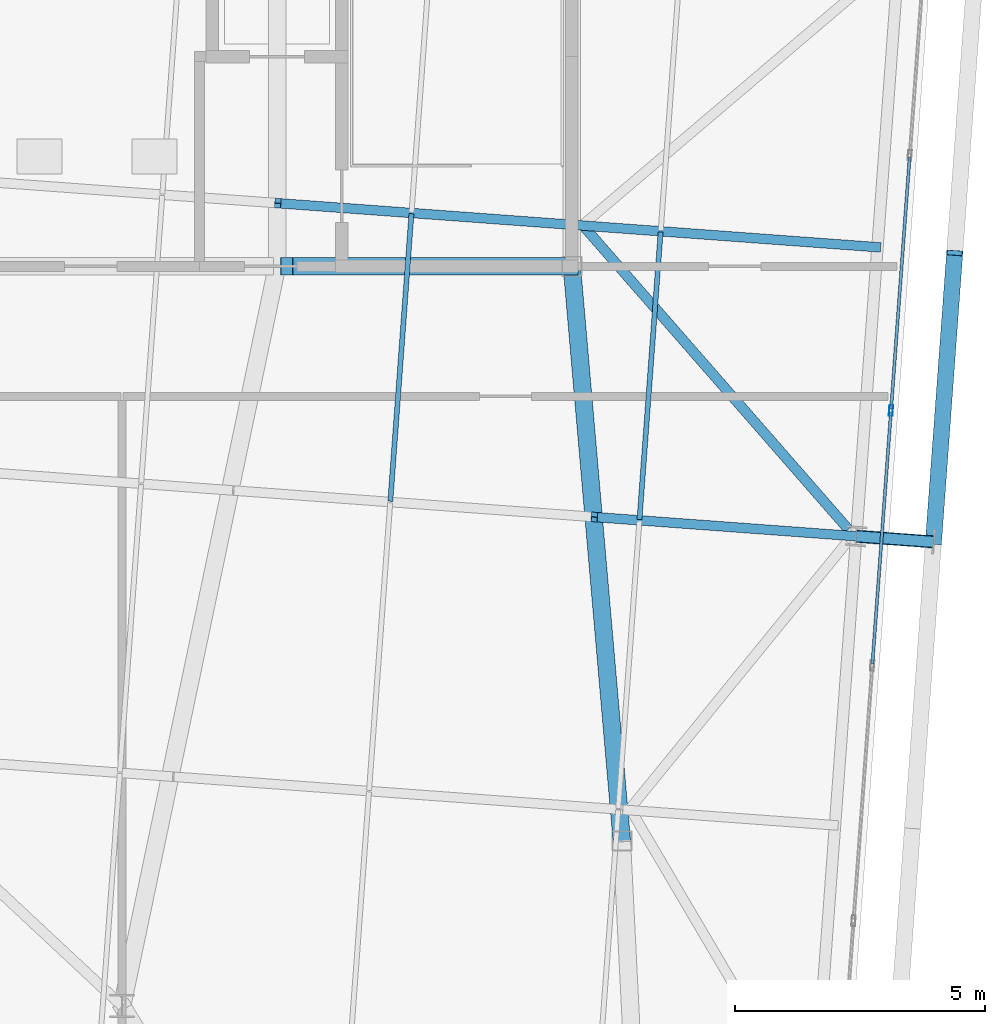
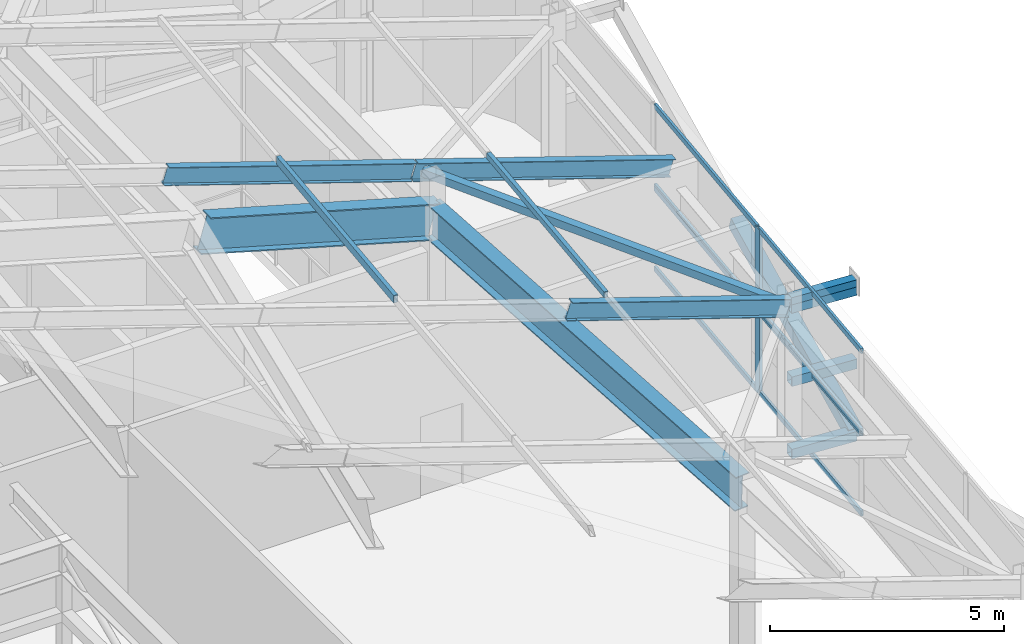
# One storey, part 23 of 56: 21 members, 2 beams, 2 elements without a shape of their own.
"""IFC4 building model written with IfcOpenShell, lengths in metres."""

from ifc_helpers import new_model, si_unit, direction, frame, origin, origin_2d, place, context, subcontext, project, spatial, hollow_rectangle, i_section, extrude, source, transform, mapped, material, layer, layer_set, material_profile, profile_set, type_object, element, aggregate, save


model = new_model("IFC4")

# Units and contexts
model_context = context("Model", 3, precision=1e-05, world=origin(), true_north=direction((0.0, 1.0)))
body_context = subcontext(model_context, "Body", "Model", "MODEL_VIEW")
ifc_project = project(units=[si_unit("LENGTHUNIT", "METRE"), si_unit("AREAUNIT", "SQUARE_METRE"), si_unit("VOLUMEUNIT", "CUBIC_METRE"), si_unit("PLANEANGLEUNIT", "RADIAN"), si_unit("MASSUNIT", "GRAM", prefix="KILO")], contexts=[model_context])

# Site, building, storey
site_placement = place(None, origin())
site = spatial("IfcSite", under=ifc_project, at=site_placement, CompositionType="ELEMENT")
building_placement = place(site_placement, origin())
building = spatial("IfcBuilding", under=site, at=building_placement, Name="Taldren Reach Tower", CompositionType="ELEMENT")
storey_placement = place(building_placement, frame((0.0, 0.0, 253.050048828125)))
storey = spatial("IfcBuildingStorey", under=building, at=storey_placement, Name="L77", CompositionType="ELEMENT", Elevation=253.050048828125)

# Members
ifc_material_1 = material(Name="Steel Gr 350 (C350L0)", Category="steel")
ifc_material_profile_1 = material_profile(ifc_material_1, hollow_rectangle(XDim=0.25, YDim=0.25, WallThickness=0.010009765625, at=origin_2d()), Name="250x250x10.0SHS")
ifc_profile_set_1 = profile_set([ifc_material_profile_1], Name="Steel Gr 350 (C350L0)")
member_type_1 = type_object("IfcMemberType", Name="MB-POST250", PredefinedType="POST", material=ifc_profile_set_1)
shared_shape_1 = source(origin(), body_context, "Body", "SweptSolid", [
    extrude(hollow_rectangle(XDim=0.25, YDim=0.25, WallThickness=0.010009765625, at=origin_2d()), origin(), (0.0, 0.0, 1.0), 1.5498046875),
])
for number, where, z_axis, x_axis, name in (
    (1, (56.69140625, 18.599853515625, 0.219970703125), (0.997313551801, -0.073250797913, 0.0), (0.073250797913, 0.997313551801, 0.0), "Exoskeleton base diaphragm tie strut B5-E2 L77"),
    (2, (56.69140625, 18.599853515625, 2.10986328125), (0.997313551801, -0.073250797913, 0.0), (0.073250797913, 0.997313551801, 0.0), "Exoskeleton mid-tier diaphragm tie B5-E2 L77"),
):
    element("IfcMember", number, at=place(storey_placement, frame(where, z_axis=z_axis, x_axis=x_axis)), inside=storey, type_object=member_type_1, Name=name, PredefinedType="POST", context=body_context, shape_type="MappedRepresentation", body=[
        mapped(shared_shape_1, transform((0.0, 0.0, 0.0), scale=1.0)),
    ])
ifc_material_2 = material(Name="Steel Gr 450 (C450L0)", Category="steel")
ifc_material_profile_2 = material_profile(ifc_material_2, hollow_rectangle(XDim=0.219970703125, YDim=0.219970703125, WallThickness=0.00830078125, at=origin_2d()), Name="220x220x8.2SHS")
ifc_profile_set_2 = profile_set([ifc_material_profile_2], Name="Steel Gr 450 (C450L0)")
member_type_2 = type_object("IfcMemberType", Name="MB-TIE219", PredefinedType="STRUT", material=ifc_profile_set_2)
shared_shape_2 = source(origin(), body_context, "Body", "SweptSolid", [
    extrude(hollow_rectangle(XDim=0.219970703125, YDim=0.219970703125, WallThickness=0.00830078125, at=origin_2d()), origin(), (0.0, 0.0, 1.0), 1.5498046875),
])
for number, where, z_axis, x_axis, name in (
    (3, (56.69140625, 18.599853515625, 4.186279296875), (0.997313551801, -0.073250797913, 0.0), (0.073250797913, 0.997313551801, 0.0), "Exoskeleton diaphragm tie strut B5-E2 L77"),
    (4, (56.69140625, 18.599853515625, 4.0), (0.997313551801, -0.073250797913, 0.0), (0.073250797913, 0.997313551801, 0.0), "Crown exoskeleton mid-tier tie strut B5-E2"),
):
    element("IfcMember", number, at=place(storey_placement, frame(where, z_axis=z_axis, x_axis=x_axis)), inside=storey, type_object=member_type_2, Name=name, PredefinedType="STRUT", context=body_context, shape_type="MappedRepresentation", body=[
        mapped(shared_shape_2, transform((0.0, 0.0, 0.0), scale=1.0)),
    ])

# Beams
ifc_material_3 = material(Name="Steel Gr 350 (350PLUS)", Category="steel")
ifc_material_profile_3 = material_profile(ifc_material_3, i_section(OverallWidth=0.35009765625, OverallDepth=0.916015625, WebThickness=0.013916015625, FlangeThickness=0.028076171875, at=origin_2d()), Name="900WB257")
ifc_profile_set_3 = profile_set([ifc_material_profile_3], Name="Steel Gr 350 (350PLUS)")
beam_type = type_object("IfcBeamType", Name="BM-WB900", PredefinedType="BEAM", material=ifc_profile_set_3)
shared_shape_3 = source(origin(), body_context, "Body", "SweptSolid", [
    extrude(i_section(OverallWidth=0.35009765625, OverallDepth=0.916015625, WebThickness=0.013916015625, FlangeThickness=0.028076171875, at=origin_2d()), origin(), (0.0, 0.0, 1.0), 11.555419921875),
])
beam_1_placement = place(storey_placement, frame((52.0, 12.5, 4.498046875), z_axis=(-0.086539360038, 0.995202640432, 0.045635990645), x_axis=(-0.996240588196, -0.086629616365, 0.0)))
element("IfcBeam", 5, at=beam_1_placement, inside=storey, type_object=beam_type, Name="Crown transverse portal girder PF6-2", PredefinedType="BEAM", context=body_context, shape_type="MappedRepresentation", body=[
    mapped(shared_shape_3, transform((0.0, 0.0, 0.0), scale=1.0)),
])
shared_shape_4 = source(origin(), body_context, "Body", "SweptSolid", [
    extrude(i_section(OverallWidth=0.35009765625, OverallDepth=0.916015625, WebThickness=0.013916015625, FlangeThickness=0.028076171875, at=origin_2d()), origin(), (0.0, 0.0, 1.0), 5.93359375),
])
beam_2_placement = place(storey_placement, frame((45.294921875, 24.0, 6.65625), z_axis=(0.961486674999, 0.0, -0.274851548656), x_axis=(0.0, 1.0, 0.0)))
element("IfcBeam", 6, at=beam_2_placement, inside=storey, type_object=beam_type, Name="Crown collar portal girder C34-E", PredefinedType="BEAM", context=body_context, shape_type="MappedRepresentation", body=[
    mapped(shared_shape_4, transform((0.0, 0.0, 0.0), scale=1.0)),
])

# Members
ifc_material_profile_4 = material_profile(ifc_material_3, i_section(OverallWidth=0.19091796875, OverallDepth=0.4599609375, WebThickness=0.010009765625, FlangeThickness=0.01611328125, at=origin_2d()), Name="460UB82.1")
ifc_profile_set_4 = profile_set([ifc_material_profile_4], Name="Steel Gr 350 (350PLUS)")
member_type_3 = type_object("IfcMemberType", Name="MB-RAF460", PredefinedType="RAFTER", material=ifc_profile_set_4)
shared_shape_5 = source(origin(), body_context, "Body", "SweptSolid", [
    extrude(i_section(OverallWidth=0.19091796875, OverallDepth=0.4599609375, WebThickness=0.010009765625, FlangeThickness=0.01611328125, at=origin_2d()), origin(), (0.0, 0.0, 1.0), 5.46630859375),
])
member_1_placement = place(storey_placement, frame((56.69140625, 18.599853515625, 4.011962890625), z_axis=(-0.95869953464, 0.07038949297, 0.275573078441), x_axis=(-0.073224745992, -0.997315464923, 0.0)))
element("IfcMember", 7, at=member_1_placement, inside=storey, type_object=member_type_3, Name="Crown sloped rafter RF-3.1", PredefinedType="RAFTER", context=body_context, shape_type="MappedRepresentation", body=[
    mapped(shared_shape_5, transform((0.0, 0.0, 0.0), scale=1.0)),
])
shared_shape_6 = source(origin(), body_context, "Body", "SweptSolid", [
    extrude(i_section(OverallWidth=0.19091796875, OverallDepth=0.4599609375, WebThickness=0.010009765625, FlangeThickness=0.01611328125, at=origin_2d()), origin(), (0.0, 0.0, 1.0), 6.364013671875),
])
member_2_placement = place(storey_placement, frame((57.1162109375, 24.38427734375, 4.011962890625), z_axis=(-0.958704608706, 0.070394260213, 0.275554207688), x_axis=(-0.073229293165, -0.997315131051, 0.0)))
element("IfcMember", 8, at=member_2_placement, inside=storey, type_object=member_type_3, Name="Crown sloped rafter RF-4.1", PredefinedType="RAFTER", context=body_context, shape_type="MappedRepresentation", body=[
    mapped(shared_shape_6, transform((0.0, 0.0, 0.0), scale=1.0)),
])
shared_shape_7 = source(origin(), body_context, "Body", "SweptSolid", [
    extrude(i_section(OverallWidth=0.19091796875, OverallDepth=0.4599609375, WebThickness=0.010009765625, FlangeThickness=0.01611328125, at=origin_2d()), origin(), (0.0, 0.0, 1.0), 6.123046875),
])
member_3_placement = place(storey_placement, frame((50.985107421875, 24.83447265625, 5.774169921875), z_axis=(-0.958693324303, 0.07037488427, 0.275598413641), x_axis=(-0.073210102026, -0.997316540002, 0.0)))
element("IfcMember", 9, at=member_3_placement, inside=storey, type_object=member_type_3, Name="Crown sloped rafter RF-4.2", PredefinedType="RAFTER", context=body_context, shape_type="MappedRepresentation", body=[
    mapped(shared_shape_7, transform((0.0, 0.0, 0.0), scale=1.0)),
])
ifc_material_profile_5 = material_profile(ifc_material_1, hollow_rectangle(XDim=0.10009765625, YDim=0.199951171875, WallThickness=0.006103515625, at=origin_2d()), Name="200x100x6.0RHS")
ifc_profile_set_5 = profile_set([ifc_material_profile_5], Name="Steel Gr 350 (C350L0)")
member_type_4 = type_object("IfcMemberType", Name="MB-PUR200", PredefinedType="PURLIN", material=ifc_profile_set_5)
shared_shape_8 = source(origin(), body_context, "Body", "SweptSolid", [
    extrude(hollow_rectangle(XDim=0.10009765625, YDim=0.199951171875, WallThickness=0.006103515625, at=origin_2d()), origin(), (0.0, 0.0, 1.0), 5.769775390625),
])
member_4_placement = place(storey_placement, frame((47.367431640625, 19.299560546875, 7.04248046875), z_axis=(0.073243558698, 0.997314083481, 0.0), x_axis=(-0.997314083481, 0.073243558698, 0.0)))
element("IfcMember", 10, at=member_4_placement, inside=storey, type_object=member_type_4, Name="Crown roof purlin PR-7.3", PredefinedType="PURLIN", context=body_context, shape_type="MappedRepresentation", body=[
    mapped(shared_shape_8, transform((0.0, 0.0, 0.0), scale=1.0)),
])
ifc_material_profile_6 = material_profile(ifc_material_1, hollow_rectangle(XDim=0.10009765625, YDim=0.14990234375, WallThickness=0.0048828125, at=origin_2d()), Name="150x100x5.0RHS")
ifc_profile_set_6 = profile_set([ifc_material_profile_6], Name="Steel Gr 350 (C350L0)")
member_type_5 = type_object("IfcMemberType", Name="MB-PUR150", PredefinedType="PURLIN", material=ifc_profile_set_6)
shared_shape_9 = source(origin(), body_context, "Body", "SweptSolid", [
    extrude(hollow_rectangle(XDim=0.10009765625, YDim=0.14990234375, WallThickness=0.0048828125, at=origin_2d()), origin(), (0.0, 0.0, 1.0), 5.769775390625),
])
member_5_placement = place(storey_placement, frame((52.35400390625, 18.933349609375, 5.63525390625), z_axis=(0.073243558698, 0.997314083481, 0.0), x_axis=(-0.997314083481, 0.073243558698, 0.0)))
element("IfcMember", 11, at=member_5_placement, inside=storey, type_object=member_type_5, Name="Crown roof purlin PR-8.3", PredefinedType="PURLIN", context=body_context, shape_type="MappedRepresentation", body=[
    mapped(shared_shape_9, transform((0.0, 0.0, 0.0), scale=1.0)),
])
ifc_material_profile_7 = material_profile(ifc_material_1, hollow_rectangle(XDim=0.199951171875, YDim=0.199951171875, WallThickness=0.009033203125, at=origin_2d()), Name="200x200x9.0SHS")
ifc_profile_set_7 = profile_set([ifc_material_profile_7], Name="Steel Gr 350 (C350L0)")
member_type_6 = type_object("IfcMemberType", Name="BR-ROOF-200", PredefinedType="BRACE", material=ifc_profile_set_7)
shared_shape_10 = source(origin(), body_context, "Body", "SweptSolid", [
    extrude(hollow_rectangle(XDim=0.199951171875, YDim=0.199951171875, WallThickness=0.009033203125, at=origin_2d()), origin(), (0.0, 0.0, 1.0), 8.210693359375),
])
member_6_placement = place(storey_placement, frame((56.52197265625, 18.75244140625, 4.0634765625), z_axis=(-0.644609906021, 0.737945876085, 0.199784766759), x_axis=(-0.75312910434, -0.657872747723, 0.0)))
element("IfcMember", 12, at=member_6_placement, inside=storey, type_object=member_type_6, Name="Crown sloped roof wind brace RB-3", PredefinedType="BRACE", context=body_context, shape_type="MappedRepresentation", body=[
    mapped(shared_shape_10, transform((0.0, 0.0, 0.0), scale=1.0)),
])
ifc_material_profile_8 = material_profile(ifc_material_2, hollow_rectangle(XDim=0.324951171875, YDim=0.324951171875, WallThickness=0.0126953125, at=origin_2d()), Name="325x325x12.7SHS")
ifc_profile_set_8 = profile_set([ifc_material_profile_8], Name="Steel Gr 450 (C450L0)")
member_type_7 = type_object("IfcMemberType", Name="MB-BR324", PredefinedType="BRACE", material=ifc_profile_set_8)
shared_shape_11 = source(origin(), body_context, "Body", "SweptSolid", [
    extrude(hollow_rectangle(XDim=0.324951171875, YDim=0.324951171875, WallThickness=0.0126953125, at=origin_2d()), origin(), (0.0, 0.0, 1.0), 6.10009765625),
])
member_7_placement = place(storey_placement, frame((58.237060546875, 18.486328125, 0.219970703125), z_axis=(0.069638510717, 0.948244387595, 0.309811328425), x_axis=(-0.997314185625, 0.073242167855, 0.0)))
element("IfcMember", 13, at=member_7_placement, inside=storey, type_object=member_type_7, Name="Exoskeleton Diagrid Brace B5-E2 L77", PredefinedType="BRACE", context=body_context, shape_type="MappedRepresentation", body=[
    mapped(shared_shape_11, transform((0.0, 0.0, 0.0), scale=1.0)),
])

# Curtain wall, members
ifc_material_4 = material(Name="Aluminium and Low-E Glass Unitised System", Category="aluminium")
ifc_layer = layer(ifc_material_4, 0.159912109375)
ifc_layer_set = layer_set([ifc_layer], Name="Aluminium and Low-E Glass Unitised System")
curtain_wall_type = type_object("IfcCurtainWallType", Name="CW-SYS-8", PredefinedType="NOTDEFINED", material=ifc_layer_set)
curtain_wall_1_placement = place(storey_placement, origin())
curtain_wall_1 = element("IfcCurtainWall", 14, at=curtain_wall_1_placement, inside=storey, type_object=curtain_wall_type, Name="Unitised curtain wall CW8-L77-E", PredefinedType="NOTDEFINED")
ifc_material_5 = material(Name="Anodised Aluminium 6063-T6", Category="aluminium")
ifc_material_profile_9 = material_profile(ifc_material_5, hollow_rectangle(XDim=0.074951171875, YDim=0.2099609375, WallThickness=0.00439453125, at=origin_2d()), Name="ALU-210x75x4.5RHS")
ifc_profile_set_9 = profile_set([ifc_material_profile_9], Name="Anodised Aluminium 6063-T6")
member_type_8 = type_object("IfcMemberType", Name="CW-MUL-200", PredefinedType="MULLION", material=ifc_profile_set_9)
shared_shape_12 = source(origin(), body_context, "Body", "SweptSolid", [
    extrude(hollow_rectangle(XDim=0.074951171875, YDim=0.2099609375, WallThickness=0.00439453125, at=origin_2d()), origin(), (0.0, 0.0, 1.0), 2.152587890625),
])
member_8_placement = place(storey_placement, frame((57.387451171875, 21.115478515625, 0.0), z_axis=(0.0, 0.0, 1.0), x_axis=(-0.997314470951, 0.073238282558, 0.0)))
member_8 = element("IfcMember", 15, at=member_8_placement, type_object=member_type_8, Name="CW-8 mullion 4", PredefinedType="MULLION", context=body_context, shape_type="MappedRepresentation", body=[
    mapped(shared_shape_12, transform((0.0, 0.0, 0.0), scale=1.0)),
])
ifc_material_profile_10 = material_profile(ifc_material_5, hollow_rectangle(XDim=0.06005859375, YDim=0.135009765625, WallThickness=0.00341796875, at=origin_2d()), Name="ALU-135x60x3.5RHS")
ifc_profile_set_10 = profile_set([ifc_material_profile_10], Name="Anodised Aluminium 6063-T6")
member_type_9 = type_object("IfcMemberType", Name="CW-TRN-150", PredefinedType="USERDEFINED", material=ifc_profile_set_10)
shared_shape_13 = source(origin(), body_context, "Body", "SweptSolid", [
    extrude(hollow_rectangle(XDim=0.06005859375, YDim=0.135009765625, WallThickness=0.00341796875, at=origin_2d()), origin(), (0.0, 0.0, 1.0), 5.045166015625),
])
member_9_placement = place(storey_placement, frame((57.01513671875, 16.046630859375, 0.030029296875), z_axis=(0.073265615485, 0.997312463367, 0.0), x_axis=(-0.997312463367, 0.073265615485, 0.0)))
member_9 = element("IfcMember", 16, at=member_9_placement, type_object=member_type_9, Name="CW-8 transom 3.1", ObjectType="TRANSOM", PredefinedType="USERDEFINED", context=body_context, shape_type="MappedRepresentation", body=[
    mapped(shared_shape_13, transform((0.0, 0.0, 0.0), scale=1.0)),
])
member_10_placement = place(storey_placement, frame((57.01513671875, 16.046630859375, 2.12255859375), z_axis=(0.073265615485, 0.997312463367, 0.0), x_axis=(-0.997312463367, 0.073265615485, 0.0)))
member_10 = element("IfcMember", 17, at=member_10_placement, type_object=member_type_9, Name="CW-8 transom 3.2", ObjectType="TRANSOM", PredefinedType="USERDEFINED", context=body_context, shape_type="MappedRepresentation", body=[
    mapped(shared_shape_13, transform((0.0, 0.0, 0.0), scale=1.0)),
])
member_11_placement = place(storey_placement, frame((57.39013671875, 21.15283203125, 0.030029296875), z_axis=(0.073265615485, 0.997312463367, 0.0), x_axis=(-0.997312463367, 0.073265615485, 0.0)))
member_11 = element("IfcMember", 18, at=member_11_placement, type_object=member_type_9, Name="CW-8 transom 4.1", ObjectType="TRANSOM", PredefinedType="USERDEFINED", context=body_context, shape_type="MappedRepresentation", body=[
    mapped(shared_shape_13, transform((0.0, 0.0, 0.0), scale=1.0)),
])
member_12_placement = place(storey_placement, frame((57.39013671875, 21.15283203125, 2.12255859375), z_axis=(0.073265615485, 0.997312463367, 0.0), x_axis=(-0.997312463367, 0.073265615485, 0.0)))
member_12 = element("IfcMember", 19, at=member_12_placement, type_object=member_type_9, Name="CW-8 transom 4.2", ObjectType="TRANSOM", PredefinedType="USERDEFINED", context=body_context, shape_type="MappedRepresentation", body=[
    mapped(shared_shape_13, transform((0.0, 0.0, 0.0), scale=1.0)),
])
aggregate(curtain_wall_1, [member_8, member_9, member_10, member_11, member_12])

curtain_wall_2_placement = place(storey_placement, origin())
curtain_wall_2 = element("IfcCurtainWall", 20, at=curtain_wall_2_placement, inside=storey, type_object=curtain_wall_type, Name="Unitised curtain wall CW8-L77-E-T2", PredefinedType="NOTDEFINED")
member_13_placement = place(storey_placement, frame((57.01513671875, 16.046630859375, 2.1826171875), z_axis=(0.073265615485, 0.997312463367, 0.0), x_axis=(-0.997312463367, 0.073265615485, 0.0)))
member_13 = element("IfcMember", 21, at=member_13_placement, type_object=member_type_9, Name="CW-8 transom 3.1", ObjectType="TRANSOM", PredefinedType="USERDEFINED", context=body_context, shape_type="MappedRepresentation", body=[
    mapped(shared_shape_13, transform((0.0, 0.0, 0.0), scale=1.0)),
])
member_14_placement = place(storey_placement, frame((57.01513671875, 16.046630859375, 4.275146484375), z_axis=(0.073265615485, 0.997312463367, 0.0), x_axis=(-0.997312463367, 0.073265615485, 0.0)))
member_14 = element("IfcMember", 22, at=member_14_placement, type_object=member_type_9, Name="CW-8 transom 3.2", ObjectType="TRANSOM", PredefinedType="USERDEFINED", context=body_context, shape_type="MappedRepresentation", body=[
    mapped(shared_shape_13, transform((0.0, 0.0, 0.0), scale=1.0)),
])
member_15_placement = place(storey_placement, frame((57.39013671875, 21.15283203125, 2.1826171875), z_axis=(0.073265615485, 0.997312463367, 0.0), x_axis=(-0.997312463367, 0.073265615485, 0.0)))
member_15 = element("IfcMember", 23, at=member_15_placement, type_object=member_type_9, Name="CW-8 transom 4.1", ObjectType="TRANSOM", PredefinedType="USERDEFINED", context=body_context, shape_type="MappedRepresentation", body=[
    mapped(shared_shape_13, transform((0.0, 0.0, 0.0), scale=1.0)),
])
member_16_placement = place(storey_placement, frame((57.39013671875, 21.15283203125, 4.275146484375), z_axis=(0.073265615485, 0.997312463367, 0.0), x_axis=(-0.997312463367, 0.073265615485, 0.0)))
member_16 = element("IfcMember", 24, at=member_16_placement, type_object=member_type_9, Name="CW-8 transom 4.2", ObjectType="TRANSOM", PredefinedType="USERDEFINED", context=body_context, shape_type="MappedRepresentation", body=[
    mapped(shared_shape_13, transform((0.0, 0.0, 0.0), scale=1.0)),
])
shared_shape_14 = source(origin(), body_context, "Body", "SweptSolid", [
    extrude(hollow_rectangle(XDim=0.074951171875, YDim=0.2099609375, WallThickness=0.00439453125, at=origin_2d()), origin(), (0.0, 0.0, 1.0), 2.15234375),
])
member_17_placement = place(storey_placement, frame((57.387451171875, 21.115478515625, 2.152587890625), z_axis=(0.0, 0.0, 1.0), x_axis=(-0.997314470951, 0.073238282558, 0.0)))
member_17 = element("IfcMember", 25, at=member_17_placement, type_object=member_type_8, Name="CW-8 mullion 4", PredefinedType="MULLION", context=body_context, shape_type="MappedRepresentation", body=[
    mapped(shared_shape_14, transform((0.0, 0.0, 0.0), scale=1.0)),
])
aggregate(curtain_wall_2, [member_17, member_13, member_14, member_15, member_16])

save(model, "model.ifc")
